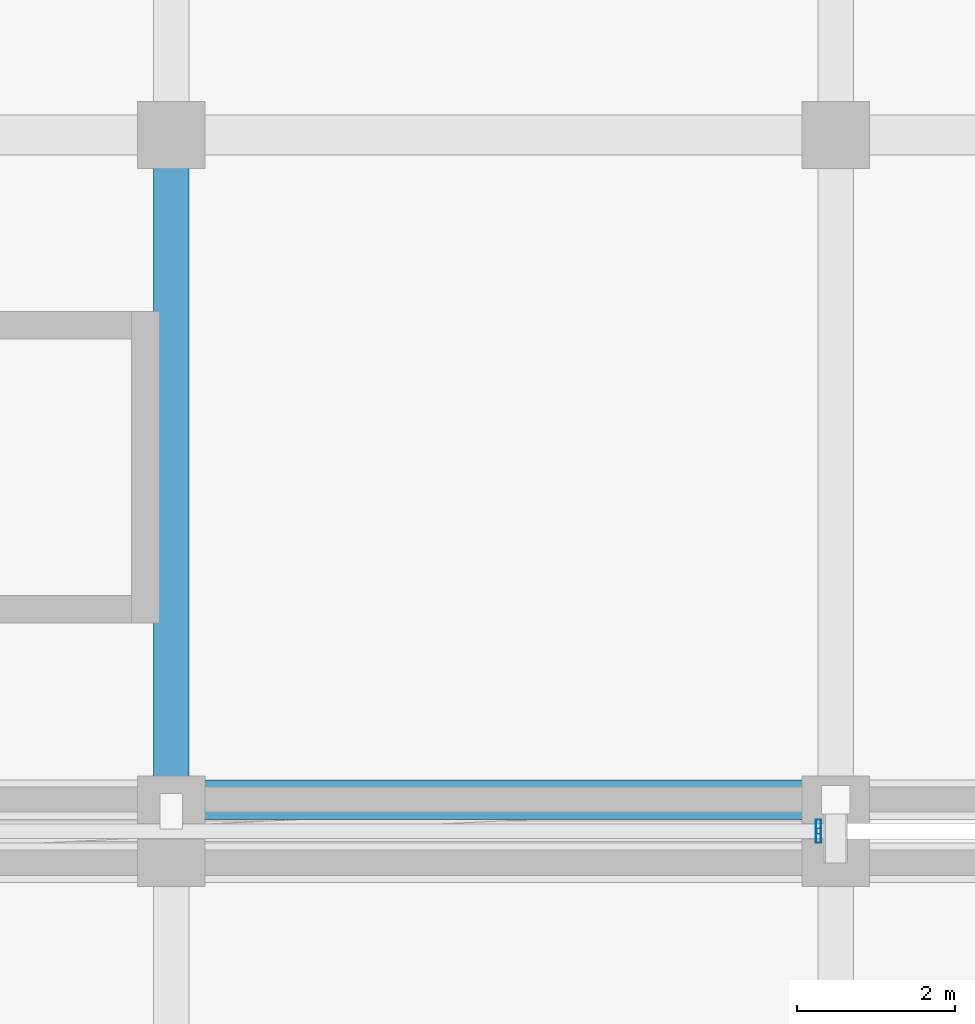
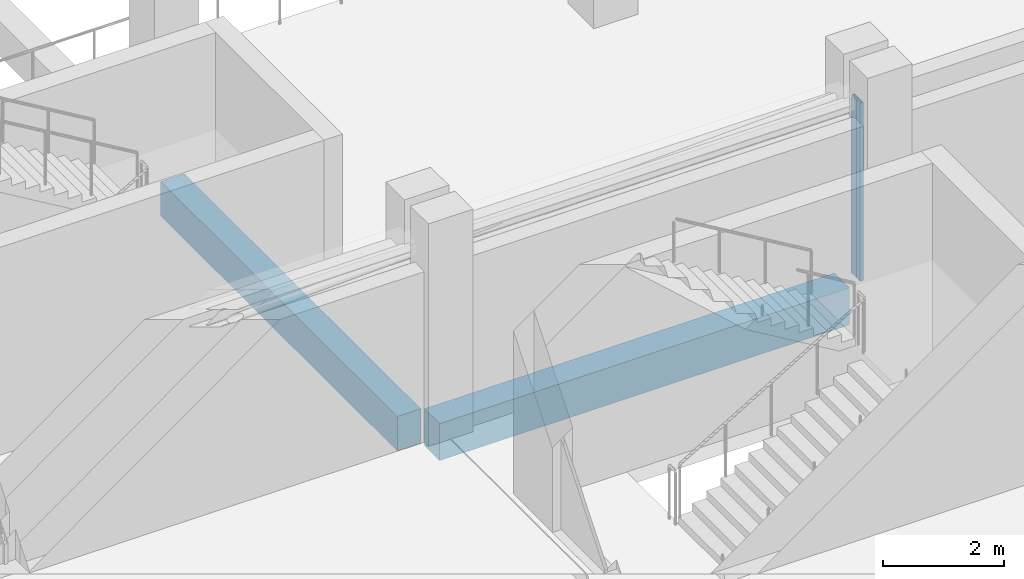
# One storey, part 44 of 137: 2 beams, 2 members, 1 element without a shape of its own.
"""IFC4 building model written with IfcOpenShell, lengths in metres."""

import ifcopenshell
import ifcopenshell.guid

model = None  # the IFC model being written
_history = None  # IfcOwnerHistory: only IFC2X3 demands one
_inside = {}  # id of a spatial element -> (the spatial element, [elements in it])
_under = {}  # id of a project, library or spatial element -> (it, [spatial elements below it])
_declared = {}  # id of a project -> (the project, [libraries it declares])
_typed = {}  # id of a type object -> (the type object, [elements of that type])
_made_of = {}  # id of a material, layer set ... -> (it, [elements and type objects made of it])


def new_model(schema):
    """Start an empty IFC model of exactly this schema.

    Asked for "IFC4X3", IfcOpenShell would pick the latest addendum, in which some entities
    have other attributes; the version numbers below select the first issue.
    IFC2X3 requires an IfcOwnerHistory on every rooted entity: one is made here for all.
    """
    global model, _history
    if schema == "IFC4X3":
        model = ifcopenshell.file(schema_version=(4, 3, 0, 0))
    else:
        model = ifcopenshell.file(schema=schema)
    _inside.clear()
    _under.clear()
    _declared.clear()
    _typed.clear()
    _made_of.clear()
    _history = None
    if model.schema == "IFC2X3":
        org = make("IfcOrganization", Name="unknown")
        user = make(
            "IfcPersonAndOrganization",
            ThePerson=make("IfcPerson", FamilyName="unknown"),
            TheOrganization=org,
        )
        app = make(
            "IfcApplication",
            ApplicationDeveloper=org,
            Version="unknown",
            ApplicationFullName="unknown",
            ApplicationIdentifier="unknown",
        )
        _history = make(
            "IfcOwnerHistory",
            OwningUser=user,
            OwningApplication=app,
            ChangeAction="ADDED",
            CreationDate=0,
        )
    return model


def make(cls, **values):
    """One entity of the class cls with the attributes given. An attribute that is None is left unset."""
    return model.create_entity(
        cls, **{name: value for name, value in values.items() if value is not None}
    )


def rooted(cls, **values):
    """An entity with a GlobalId (a new one), such as an element, a storey or a relation."""
    return make(cls, GlobalId=ifcopenshell.guid.new(), OwnerHistory=_history, **values)


def si_unit(unit_type, name, prefix=None):
    """IfcSIUnit, for example si_unit("LENGTHUNIT", "METRE", prefix="MILLI")."""
    return make("IfcSIUnit", UnitType=unit_type, Prefix=prefix, Name=name)


def assignment(units):
    """IfcUnitAssignment: the units of a project."""
    return None if units is None else make("IfcUnitAssignment", Units=units)


def point(xyz):
    """IfcCartesianPoint."""
    return None if xyz is None else make("IfcCartesianPoint", Coordinates=xyz)


def direction(xyz):
    """IfcDirection."""
    return None if xyz is None else make("IfcDirection", DirectionRatios=xyz)


def frame(location, z_axis=None, x_axis=None):
    """IfcAxis2Placement3D, a coordinate frame: its origin and axes. An axis left out is left unset."""
    return make(
        "IfcAxis2Placement3D",
        Location=point(location),
        Axis=direction(z_axis),
        RefDirection=direction(x_axis),
    )


def frame_2d(location, x_axis=None):
    """IfcAxis2Placement2D, a coordinate frame in the plane: its origin and x axis."""
    return make(
        "IfcAxis2Placement2D", Location=point(location), RefDirection=direction(x_axis)
    )


def origin():
    """The frame at (0, 0, 0) with its axes left unset."""
    return frame((0.0, 0.0, 0.0))


def origin_2d():
    """The frame at (0, 0) in the plane with its x axis left unset."""
    return frame_2d((0.0, 0.0))


def place(relative_to, where):
    """IfcLocalPlacement: puts the frame where relative to a parent placement (None: the world)."""
    return make(
        "IfcLocalPlacement", PlacementRelTo=relative_to, RelativePlacement=where
    )


def context(
    kind, dimensions, precision=None, world=None, true_north=None, identifier=None
):
    """IfcGeometricRepresentationContext, for example the 3D "Model" context."""
    return make(
        "IfcGeometricRepresentationContext",
        ContextIdentifier=identifier,
        ContextType=kind,
        CoordinateSpaceDimension=dimensions,
        Precision=precision,
        WorldCoordinateSystem=world,
        TrueNorth=true_north,
    )


def subcontext(parent, identifier, kind, view, scale=None):
    """IfcGeometricRepresentationSubContext, for example "Body" below "Model"."""
    return make(
        "IfcGeometricRepresentationSubContext",
        ContextIdentifier=identifier,
        ContextType=kind,
        ParentContext=parent,
        TargetScale=scale,
        TargetView=view,
    )


def project(units=None, contexts=None):
    """IfcProject with its units and contexts."""
    return rooted(
        "IfcProject",
        Name="project",
        RepresentationContexts=contexts,
        UnitsInContext=assignment(units),
    )


def spatial(cls, under=None, at=None, **own):
    """A site, building, storey or space (cls), placed at a placement, below another one or the project."""
    s = rooted(cls, ObjectPlacement=at, **own)
    if under is not None:
        _under.setdefault(under.id(), (under, []))[1].append(s)
    return s


def profile(cls, at=None, kind="AREA", **sizes):
    """A parametric profile (cls). Its sizes go by their IFC names, for example OverallWidth=200.0."""
    return make(cls, ProfileType=kind, Position=at, **sizes)


def rectangle(**sizes):
    """IfcRectangleProfileDef."""
    return profile("IfcRectangleProfileDef", **sizes)


def hollow_rectangle(**sizes):
    """IfcRectangleHollowProfileDef."""
    return profile("IfcRectangleHollowProfileDef", **sizes)


def extrude(swept, where, along, depth):
    """IfcExtrudedAreaSolid: the profile swept, set in the frame where, extruded along a direction by depth."""
    return make(
        "IfcExtrudedAreaSolid",
        SweptArea=swept,
        Position=where,
        ExtrudedDirection=direction(along),
        Depth=depth,
    )


def shape(context_of_items, identifier, shape_type, items):
    """IfcShapeRepresentation: the items that make up one representation, for example the "Body"."""
    return make(
        "IfcShapeRepresentation",
        ContextOfItems=context_of_items,
        RepresentationIdentifier=identifier,
        RepresentationType=shape_type,
        Items=items,
    )


def material(Name=None, Category=None):
    """IfcMaterial."""
    return make("IfcMaterial", Name=Name, Category=Category)


def layer(
    of_material, thickness, ventilated=None, Name=None, Category=None, Priority=None
):
    """IfcMaterialLayer: one layer of a wall or slab, of a material (None: an air gap)."""
    return make(
        "IfcMaterialLayer",
        Material=of_material,
        LayerThickness=thickness,
        IsVentilated=ventilated,
        Name=Name,
        Category=Category,
        Priority=Priority,
    )


def layer_set(layers, Name=None):
    """IfcMaterialLayerSet."""
    return make("IfcMaterialLayerSet", MaterialLayers=layers, LayerSetName=Name)


def material_profile(
    of_material, cross_section, Name=None, Category=None, Priority=None
):
    """IfcMaterialProfile: a cross section and its material."""
    return make(
        "IfcMaterialProfile",
        Name=Name,
        Material=of_material,
        Profile=cross_section,
        Priority=Priority,
        Category=Category,
    )


def profile_set(profiles, Name=None, composite=None):
    """IfcMaterialProfileSet."""
    return make(
        "IfcMaterialProfileSet",
        Name=Name,
        MaterialProfiles=profiles,
        CompositeProfile=composite,
    )


def made_of(thing, what):
    """Note that an element or type object is made of a material, layer set ...; save() writes the relation."""
    if what is not None:
        _made_of.setdefault(what.id(), (what, []))[1].append(thing)
    return thing


def type_object(cls, material=None, **own):
    """A type object (cls), such as IfcWallType, which elements share."""
    return made_of(rooted(cls, **own), material)


def element(
    cls,
    number,
    at=None,
    inside=None,
    cuts=None,
    type_object=None,
    material=None,
    context=None,
    identifier="Body",
    shape_type=None,
    held_by="IfcProductDefinitionShape",
    body=None,
    shapes=None,
    **own,
):
    """One element of the class cls, such as IfcWall. Its Tag is "e" and its number.

    at: its placement. inside: the storey or other place that contains it. cuts: it is an
    opening in that element (IfcRelVoidsElement). A single representation is given by context,
    identifier, shape_type and body (its items); several are given by shapes. held_by: the class
    of the entity that holds the representations. save() writes the other relations.
    """
    e = rooted(cls, Tag="e%d" % number, ObjectPlacement=at, **own)
    if body is not None:
        shapes = [shape(context, identifier, shape_type, body)]
    if shapes is not None:
        e.Representation = make(held_by, Representations=shapes)
    if inside is not None:
        _inside.setdefault(inside.id(), (inside, []))[1].append(e)
    if cuts is not None:
        rooted(
            "IfcRelVoidsElement", RelatingBuildingElement=cuts, RelatedOpeningElement=e
        )
    if type_object is not None:
        _typed.setdefault(type_object.id(), (type_object, []))[1].append(e)
    return made_of(e, material)


def aggregate(whole, parts):
    """IfcRelAggregates: a whole, such as a stair, and the parts it consists of."""
    return rooted("IfcRelAggregates", RelatingObject=whole, RelatedObjects=parts)


def save(model, path):
    """Write the relations noted so far, then the file.

    IfcRelAggregates (storeys below a building ...), IfcRelContainedInSpatialStructure (elements
    in a storey), IfcRelDefinesByType, IfcRelAssociatesMaterial and IfcRelDeclares: one each for
    every whole, place, type object, material and project.
    """
    for whole, parts in _under.values():
        aggregate(whole, parts)
    for where, things in _inside.values():
        rooted(
            "IfcRelContainedInSpatialStructure",
            RelatedElements=things,
            RelatingStructure=where,
        )
    for kind, things in _typed.values():
        rooted("IfcRelDefinesByType", RelatedObjects=things, RelatingType=kind)
    for what, things in _made_of.values():
        rooted("IfcRelAssociatesMaterial", RelatedObjects=things, RelatingMaterial=what)
    for by, libraries in _declared.values():
        rooted("IfcRelDeclares", RelatingContext=by, RelatedDefinitions=libraries)
    model.write(path)


model = new_model("IFC4")

# Units and contexts
model_context = context("Model", 3, precision=1e-05, world=origin(), true_north=direction((0.0, 1.0)))
body_context = subcontext(model_context, "Body", "Model", "MODEL_VIEW")
ifc_project = project(units=[si_unit("LENGTHUNIT", "METRE"), si_unit("AREAUNIT", "SQUARE_METRE"), si_unit("VOLUMEUNIT", "CUBIC_METRE"), si_unit("PLANEANGLEUNIT", "RADIAN"), si_unit("MASSUNIT", "GRAM", prefix="KILO")], contexts=[model_context])

# Site, building, storey
site_placement = place(None, origin())
site = spatial("IfcSite", under=ifc_project, at=site_placement, CompositionType="ELEMENT")
building_placement = place(site_placement, origin())
building = spatial("IfcBuilding", under=site, at=building_placement, Name="Xazarin Passage Department Store", CompositionType="ELEMENT")
storey_placement = place(building_placement, frame((0.0, 0.0, 5.39990234375)))
storey = spatial("IfcBuildingStorey", under=building, at=storey_placement, Name="L01", CompositionType="ELEMENT", Elevation=5.39990234375)

# Curtain wall, members
ifc_material_1 = material(Name="Bronze anodised aluminium", Category="aluminium")
ifc_layer = layer(ifc_material_1, 0.14990234375)
ifc_layer_set = layer_set([ifc_layer], Name="Bronze anodised aluminium")
curtain_wall_type = type_object("IfcCurtainWallType", Name="ARC-CW-BRG1", PredefinedType="NOTDEFINED", material=ifc_layer_set)
curtain_wall_placement = place(storey_placement, origin())
curtain_wall = element("IfcCurtainWall", 1, at=curtain_wall_placement, inside=storey, type_object=curtain_wall_type, Name="L01 BR-V2S-V2N Bridge Curtain Wall 2", PredefinedType="NOTDEFINED")
ifc_material_profile_1 = material_profile(ifc_material_1, hollow_rectangle(XDim=0.06494140625, YDim=0.179931640625, WallThickness=0.00390625, at=origin_2d()), Name="ALU 65x180")
ifc_profile_set_1 = profile_set([ifc_material_profile_1], Name="Bronze anodised aluminium")
member_type = type_object("IfcMemberType", Name="ARC-CWM-65x180", PredefinedType="MULLION", material=ifc_profile_set_1)
member_1_placement = place(storey_placement, frame((92.97998046875, 50.742431640625, 0.0), z_axis=(0.0, 0.0, 1.0), x_axis=(-1.0, 0.0, 0.0)))
member_1 = element("IfcMember", 2, at=member_1_placement, type_object=member_type, Name="CW7 mullion 1", PredefinedType="MULLION", context=body_context, shape_type="SweptSolid", body=[
    extrude(hollow_rectangle(XDim=0.06494140625, YDim=0.179931640625, WallThickness=0.00390625, at=origin_2d()), origin(), (0.0, 0.0, 1.0), 3.60009765625),
])
member_2_placement = place(storey_placement, frame((92.97998046875, 50.857421875, 0.0), z_axis=(0.0, 0.0, 1.0), x_axis=(-1.0, 0.0, 0.0)))
member_2 = element("IfcMember", 3, at=member_2_placement, type_object=member_type, Name="CW7 mullion 2", PredefinedType="MULLION", context=body_context, shape_type="SweptSolid", body=[
    extrude(hollow_rectangle(XDim=0.06494140625, YDim=0.179931640625, WallThickness=0.00390625, at=origin_2d()), origin(), (0.0, 0.0, 1.0), 3.60009765625),
])
aggregate(curtain_wall, [member_1, member_2])

# Beams
ifc_material_2 = material(Name="Concrete C35/45", Category="concrete")
ifc_material_profile_2 = material_profile(ifc_material_2, rectangle(XDim=0.449951171875, YDim=0.699951171875, at=origin_2d()), Name="RC 450x700")
ifc_profile_set_2 = profile_set([ifc_material_profile_2], Name="Concrete C35/45")
beam_type_1 = type_object("IfcBeamType", Name="STR-BM-G450x700", PredefinedType="BEAM", material=ifc_profile_set_2)
beam_1_placement = place(storey_placement, frame((84.800048828125, 51.47998046875, -0.64990234375), z_axis=(0.0, 1.0, 0.0), x_axis=(-1.0, 0.0, 0.0)))
element("IfcBeam", 4, at=beam_1_placement, inside=storey, type_object=beam_type_1, Name="L01 Grid Beam 12/H-J", PredefinedType="BEAM", context=body_context, shape_type="SweptSolid", body=[
    extrude(rectangle(XDim=0.449951171875, YDim=0.699951171875, at=origin_2d()), origin(), (0.0, 0.0, 1.0), 7.840087890625),
])
ifc_material_profile_3 = material_profile(ifc_material_2, rectangle(XDim=0.5, YDim=0.75, at=origin_2d()), Name="RC 500x750")
ifc_profile_set_3 = profile_set([ifc_material_profile_3], Name="Concrete C35/45")
beam_type_2 = type_object("IfcBeamType", Name="STR-BM-SP500x750", PredefinedType="SPANDREL", material=ifc_profile_set_3)
beam_2_placement = place(storey_placement, frame((85.080078125, 51.199951171875, -0.6748046875), z_axis=(1.0, 0.0, 0.0), x_axis=(0.0, 1.0, 0.0)))
element("IfcBeam", 5, at=beam_2_placement, inside=storey, type_object=beam_type_2, Name="L01 Grid Beam H/12-13", PredefinedType="SPANDREL", context=body_context, shape_type="SweptSolid", body=[
    extrude(rectangle(XDim=0.5, YDim=0.75, at=origin_2d()), origin(), (0.0, 0.0, 1.0), 7.83984375),
])

save(model, "model.ifc")
